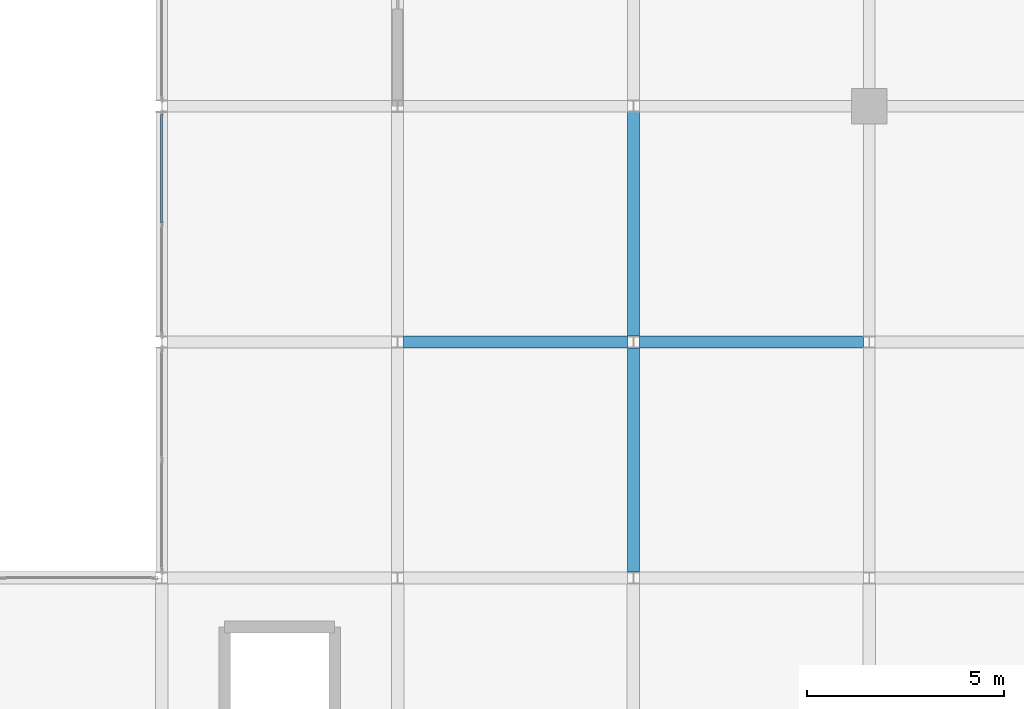
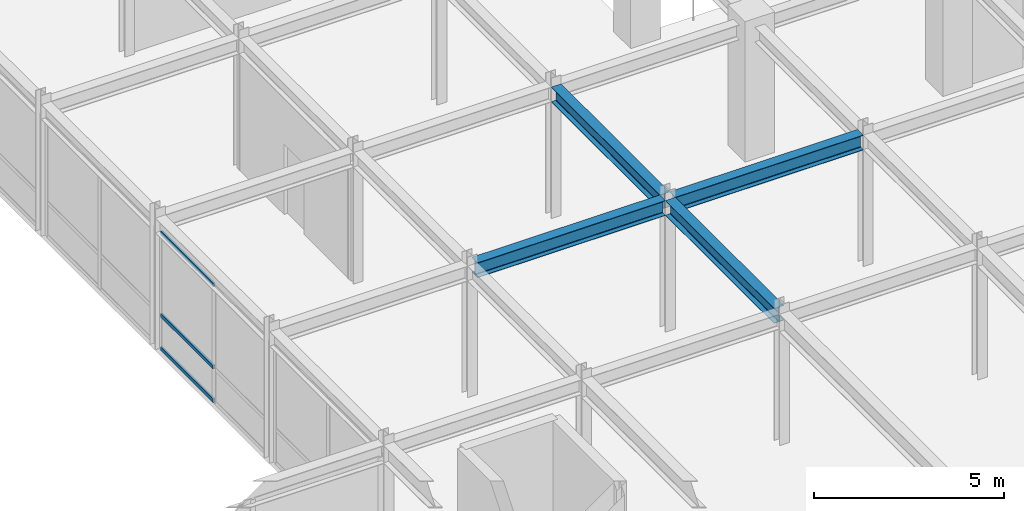
# One storey, part 45 of 108: 4 beams, 3 members, 1 element without a shape of its own.
"""IFC4 building model written with IfcOpenShell, lengths in metres."""

from ifc_helpers import new_model, si_unit, direction, frame, origin, origin_2d, place, context, subcontext, project, spatial, hollow_rectangle, i_section, extrude, material, layer, layer_set, material_profile, profile_set, type_object, element, aggregate, save


model = new_model("IFC4")

# Units and contexts
model_context = context("Model", 3, precision=1e-05, world=origin(), true_north=direction((0.0, 1.0)))
body_context = subcontext(model_context, "Body", "Model", "MODEL_VIEW")
ifc_project = project(units=[si_unit("LENGTHUNIT", "METRE"), si_unit("AREAUNIT", "SQUARE_METRE"), si_unit("VOLUMEUNIT", "CUBIC_METRE"), si_unit("PLANEANGLEUNIT", "RADIAN"), si_unit("MASSUNIT", "GRAM", prefix="KILO")], contexts=[model_context])

# Site, building, storey
site_placement = place(None, origin())
site = spatial("IfcSite", under=ifc_project, at=site_placement, CompositionType="ELEMENT")
building_placement = place(site_placement, origin())
building = spatial("IfcBuilding", under=site, at=building_placement, Name="Zlatovratsky Civic Hall", CompositionType="ELEMENT")
storey_placement = place(building_placement, frame((0.0, 0.0, 12.0)))
storey = spatial("IfcBuildingStorey", under=building, at=storey_placement, Name="L03", CompositionType="ELEMENT", Elevation=12.0)

# Beams
ifc_material_1 = material(Name="Steel S355", Category="steel")
ifc_material_profile_1 = material_profile(ifc_material_1, i_section(OverallWidth=0.300048828125, OverallDepth=0.48193359375, WebThickness=0.010986328125, FlangeThickness=0.014892578125, FilletRadius=0.02392578125, at=origin_2d()), Name="50Sh1")
ifc_profile_set_1 = profile_set([ifc_material_profile_1], Name="Steel S355")
beam_type = type_object("IfcBeamType", Name="Beam_LibraryGirder_50Sh1", PredefinedType="BEAM", material=ifc_profile_set_1)
for number, where, z_axis, x_axis, name in (
    (1, (54.1494140625, 36.0, 3.97900390625), (1.0, 0.0, 0.0), (0.0, 1.0, 0.0), "BM-2546"),
    (2, (60.1494140625, 36.0, 3.97900390625), (1.0, 0.0, 0.0), (0.0, 1.0, 0.0), "BM-2547"),
):
    element("IfcBeam", number, at=place(storey_placement, frame(where, z_axis=z_axis, x_axis=x_axis)), inside=storey, type_object=beam_type, Name=name, PredefinedType="BEAM", context=body_context, shape_type="SweptSolid", body=[
        extrude(i_section(OverallWidth=0.300048828125, OverallDepth=0.48193359375, WebThickness=0.010986328125, FlangeThickness=0.014892578125, FilletRadius=0.02392578125, at=origin_2d()), origin(), (0.0, 0.0, 1.0), 5.701171875),
    ])
for number, where, z_axis, x_axis, name in (
    (3, (60.0, 30.14794921875, 3.97900390625), (0.0, 1.0, 0.0), (-1.0, 0.0, 0.0), "BM-2902"),
    (4, (60.0, 36.14794921875, 3.97900390625), (0.0, 1.0, 0.0), (-1.0, 0.0, 0.0), "BM-2903"),
):
    element("IfcBeam", number, at=place(storey_placement, frame(where, z_axis=z_axis, x_axis=x_axis)), inside=storey, type_object=beam_type, Name=name, PredefinedType="BEAM", context=body_context, shape_type="SweptSolid", body=[
        extrude(i_section(OverallWidth=0.300048828125, OverallDepth=0.48193359375, WebThickness=0.010986328125, FlangeThickness=0.014892578125, FilletRadius=0.02392578125, at=origin_2d()), origin(), (0.0, 0.0, 1.0), 5.7041015625),
    ])

# Curtain wall, members
ifc_material_2 = material(Name="Anodised bronze aluminium", Category="aluminium")
ifc_layer = layer(ifc_material_2, 0.159912109375)
ifc_layer_set = layer_set([ifc_layer], Name="Anodised bronze aluminium")
curtain_wall_type = type_object("IfcCurtainWallType", Name="CurtainWall_Bronze_5700x3770_12", PredefinedType="NOTDEFINED", material=ifc_layer_set)
curtain_wall_placement = place(storey_placement, origin())
curtain_wall = element("IfcCurtainWall", 5, at=curtain_wall_placement, inside=storey, type_object=curtain_wall_type, Name="CW-064", PredefinedType="NOTDEFINED")
ifc_material_profile_2 = material_profile(ifc_material_2, hollow_rectangle(XDim=0.06005859375, YDim=0.1201171875, WallThickness=0.00390625, at=origin_2d()), Name="ALU 60x120x4")
ifc_profile_set_2 = profile_set([ifc_material_profile_2], Name="Anodised bronze aluminium")
member_type = type_object("IfcMemberType", Name="CW_Transom_60x120", PredefinedType="USERDEFINED", material=ifc_profile_set_2)
member_1_placement = place(storey_placement, frame((48.0, 39.030029296875, 0.030029296875), z_axis=(0.0, 1.0, 0.0), x_axis=(-1.0, 0.0, 0.0)))
member_1 = element("IfcMember", 6, at=member_1_placement, type_object=member_type, Name="CW-12 transom 2.1", ObjectType="TRANSOM", PredefinedType="USERDEFINED", context=body_context, shape_type="SweptSolid", body=[
    extrude(hollow_rectangle(XDim=0.06005859375, YDim=0.1201171875, WallThickness=0.00390625, at=origin_2d()), origin(), (0.0, 0.0, 1.0), 2.761962890625),
])
member_2_placement = place(storey_placement, frame((48.0, 39.030029296875, 1.10009765625), z_axis=(0.0, 1.0, 0.0), x_axis=(-1.0, 0.0, 0.0)))
member_2 = element("IfcMember", 7, at=member_2_placement, type_object=member_type, Name="CW-12 transom 2.2", ObjectType="TRANSOM", PredefinedType="USERDEFINED", context=body_context, shape_type="SweptSolid", body=[
    extrude(hollow_rectangle(XDim=0.06005859375, YDim=0.1201171875, WallThickness=0.00390625, at=origin_2d()), origin(), (0.0, 0.0, 1.0), 2.761962890625),
])
member_3_placement = place(storey_placement, frame((48.0, 39.030029296875, 3.739990234375), z_axis=(0.0, 1.0, 0.0), x_axis=(-1.0, 0.0, 0.0)))
member_3 = element("IfcMember", 8, at=member_3_placement, type_object=member_type, Name="CW-12 transom 2.3", ObjectType="TRANSOM", PredefinedType="USERDEFINED", context=body_context, shape_type="SweptSolid", body=[
    extrude(hollow_rectangle(XDim=0.06005859375, YDim=0.1201171875, WallThickness=0.00390625, at=origin_2d()), origin(), (0.0, 0.0, 1.0), 2.761962890625),
])
aggregate(curtain_wall, [member_1, member_2, member_3])

save(model, "model.ifc")
